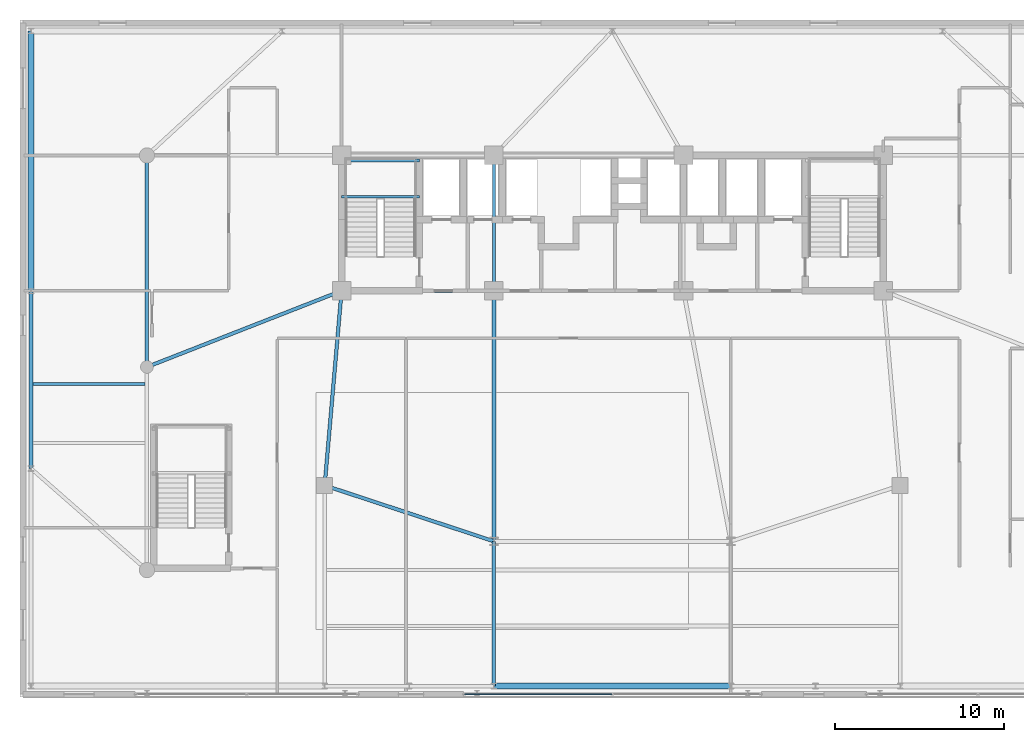
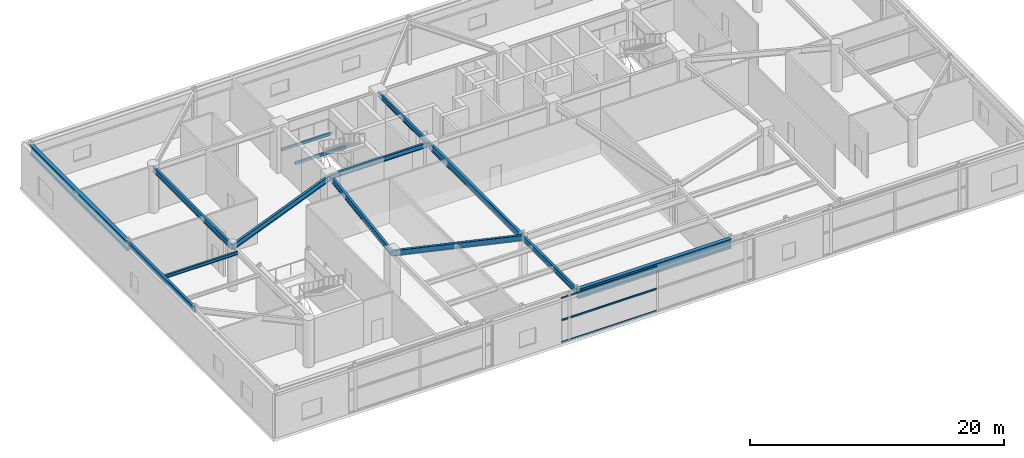
# One storey, part 11 of 26: 14 beams, 4 members, 2 elements without a shape of their own.
"""IFC4 building model written with IfcOpenShell, lengths in metres."""

from ifc_helpers import new_model, si_unit, direction, frame, origin, origin_2d, place, context, subcontext, project, spatial, hollow_rectangle, i_section, extrude, source, transform, mapped, material, layer, layer_set, material_profile, profile_set, type_object, element, aggregate, save


model = new_model("IFC4")

# Units and contexts
model_context = context("Model", 3, precision=1e-05, world=origin(), true_north=direction((0.0, 1.0)))
body_context = subcontext(model_context, "Body", "Model", "MODEL_VIEW")
ifc_project = project(units=[si_unit("LENGTHUNIT", "METRE"), si_unit("AREAUNIT", "SQUARE_METRE"), si_unit("VOLUMEUNIT", "CUBIC_METRE"), si_unit("PLANEANGLEUNIT", "RADIAN"), si_unit("MASSUNIT", "GRAM", prefix="KILO")], contexts=[model_context])

# Site, building, storey
site_placement = place(None, origin())
site = spatial("IfcSite", under=ifc_project, at=site_placement, CompositionType="ELEMENT")
building_placement = place(site_placement, origin())
building = spatial("IfcBuilding", under=site, at=building_placement, Name="Taldren Reach Tower", CompositionType="ELEMENT")
storey_placement = place(building_placement, frame((0.0, 0.0, 8.39990234375)))
storey = spatial("IfcBuildingStorey", under=building, at=storey_placement, Name="L02", CompositionType="ELEMENT", Elevation=8.39990234375)

# Beams
ifc_material_1 = material(Name="Steel Gr 350 (350PLUS)", Category="steel")
ifc_material_profile_1 = material_profile(ifc_material_1, i_section(OverallWidth=0.19091796875, OverallDepth=0.4599609375, WebThickness=0.010009765625, FlangeThickness=0.01611328125, at=origin_2d()), Name="460UB82.1")
ifc_profile_set_1 = profile_set([ifc_material_profile_1], Name="Steel Gr 350 (350PLUS)")
beam_type_1 = type_object("IfcBeamType", Name="BM-UB460A", PredefinedType="BEAM", material=ifc_profile_set_1)
shared_shape_1 = source(origin(), body_context, "Body", "SweptSolid", [
    extrude(i_section(OverallWidth=0.19091796875, OverallDepth=0.4599609375, WebThickness=0.010009765625, FlangeThickness=0.01611328125, at=origin_2d()), origin(), (0.0, 0.0, 1.0), 9.0),
])
beam_1_placement = place(storey_placement, frame((19.0, 24.0, 4.06005859375), z_axis=(1.0, 0.0, 0.0), x_axis=(0.0, 1.0, 0.0)))
element("IfcBeam", 1, at=beam_1_placement, inside=storey, type_object=beam_type_1, Name="Core-spine girder L02-SP01", PredefinedType="BEAM", context=body_context, shape_type="MappedRepresentation", body=[
    mapped(shared_shape_1, transform((0.0, 0.0, 0.0), scale=1.0)),
])
shared_shape_2 = source(origin(), body_context, "Body", "SweptSolid", [
    extrude(i_section(OverallWidth=0.19091796875, OverallDepth=0.4599609375, WebThickness=0.010009765625, FlangeThickness=0.01611328125, at=origin_2d()), origin(), (0.0, 0.0, 1.0), 8.0),
])
beam_2_placement = place(storey_placement, frame((28.0, 24.0, 4.06005859375), z_axis=(0.0, 1.0, 0.0), x_axis=(-1.0, 0.0, 0.0)))
element("IfcBeam", 2, at=beam_2_placement, inside=storey, type_object=beam_type_1, Name="Core-spine girder L02-SP07", PredefinedType="BEAM", context=body_context, shape_type="MappedRepresentation", body=[
    mapped(shared_shape_2, transform((0.0, 0.0, 0.0), scale=1.0)),
])
ifc_material_profile_2 = material_profile(ifc_material_1, i_section(OverallWidth=0.208984375, OverallDepth=0.532958984375, WebThickness=0.01025390625, FlangeThickness=0.015625, at=origin_2d()), Name="530UB92.4")
ifc_profile_set_2 = profile_set([ifc_material_profile_2], Name="Steel Gr 350 (350PLUS)")
beam_type_2 = type_object("IfcBeamType", Name="BM-UB530A", PredefinedType="BEAM", material=ifc_profile_set_2)
shared_shape_3 = source(origin(), body_context, "Body", "SweptSolid", [
    extrude(i_section(OverallWidth=0.208984375, OverallDepth=0.532958984375, WebThickness=0.01025390625, FlangeThickness=0.015625, at=origin_2d()), origin(), (0.0, 0.0, 1.0), 11.54345703125),
])
beam_3_placement = place(storey_placement, frame((19.0, 24.0, 4.023681640625), z_axis=(-0.086629616365, -0.996240588196, 0.0), x_axis=(0.996240588196, -0.086629616365, 0.0)))
element("IfcBeam", 3, at=beam_3_placement, inside=storey, type_object=beam_type_2, Name="Core-spine girder L02-SP09", PredefinedType="BEAM", context=body_context, shape_type="MappedRepresentation", body=[
    mapped(shared_shape_3, transform((0.0, 0.0, 0.0), scale=1.0)),
])
shared_shape_4 = source(origin(), body_context, "Body", "SweptSolid", [
    extrude(i_section(OverallWidth=0.208984375, OverallDepth=0.532958984375, WebThickness=0.01025390625, FlangeThickness=0.015625, at=origin_2d()), origin(), (0.0, 0.0, 1.0), 10.530517578125),
])
beam_4_placement = place(storey_placement, frame((18.0, 12.5, 4.023681640625), z_axis=(0.949627269203, -0.313381635689, 0.0), x_axis=(0.313381635689, 0.949627269203, 0.0)))
element("IfcBeam", 4, at=beam_4_placement, inside=storey, type_object=beam_type_2, Name="Core-spine girder L02-SP10", PredefinedType="BEAM", context=body_context, shape_type="MappedRepresentation", body=[
    mapped(shared_shape_4, transform((0.0, 0.0, 0.0), scale=1.0)),
])
ifc_material_profile_3 = material_profile(ifc_material_1, i_section(OverallWidth=0.22802734375, OverallDepth=0.60205078125, WebThickness=0.010498046875, FlangeThickness=0.014892578125, at=origin_2d()), Name="610UB101")
ifc_profile_set_3 = profile_set([ifc_material_profile_3], Name="Steel Gr 350 (350PLUS)")
beam_type_3 = type_object("IfcBeamType", Name="BM-UB610B", PredefinedType="BEAM", material=ifc_profile_set_3)
shared_shape_5 = source(origin(), body_context, "Body", "SweptSolid", [
    extrude(i_section(OverallWidth=0.22802734375, OverallDepth=0.60205078125, WebThickness=0.010498046875, FlangeThickness=0.014892578125, at=origin_2d()), origin(), (0.0, 0.0, 1.0), 14.800048828125),
])
beam_5_placement = place(storey_placement, frame((28.0, 24.0, 3.989013671875), z_axis=(0.0, -1.0, 0.0), x_axis=(1.0, 0.0, 0.0)))
element("IfcBeam", 5, at=beam_5_placement, inside=storey, type_object=beam_type_3, Name="Core-spine girder L02-SP14", PredefinedType="BEAM", context=body_context, shape_type="MappedRepresentation", body=[
    mapped(shared_shape_5, transform((0.0, 0.0, 0.0), scale=1.0)),
])
ifc_material_profile_4 = material_profile(ifc_material_1, i_section(OverallWidth=0.35009765625, OverallDepth=0.916015625, WebThickness=0.013916015625, FlangeThickness=0.028076171875, at=origin_2d()), Name="900WB257")
ifc_profile_set_4 = profile_set([ifc_material_profile_4], Name="Steel Gr 350 (350PLUS)")
beam_type_4 = type_object("IfcBeamType", Name="BM-WB900", PredefinedType="BEAM", material=ifc_profile_set_4)
shared_shape_6 = source(origin(), body_context, "Body", "SweptSolid", [
    extrude(i_section(OverallWidth=0.35009765625, OverallDepth=0.916015625, WebThickness=0.013916015625, FlangeThickness=0.028076171875, at=origin_2d()), origin(), (0.0, 0.0, 1.0), 14.0),
])
beam_6_placement = place(storey_placement, frame((28.0, 0.64990234375, 3.83203125), z_axis=(1.0, 0.0, 0.0), x_axis=(0.0, 1.0, 0.0)))
element("IfcBeam", 6, at=beam_6_placement, inside=storey, type_object=beam_type_4, Name="Podium girder L02-PD04", PredefinedType="BEAM", context=body_context, shape_type="MappedRepresentation", body=[
    mapped(shared_shape_6, transform((0.0, 0.0, 0.0), scale=1.0)),
])
ifc_material_profile_5 = material_profile(ifc_material_1, i_section(OverallWidth=0.208984375, OverallDepth=0.528076171875, WebThickness=0.009521484375, FlangeThickness=0.01318359375, at=origin_2d()), Name="530UB82.0")
ifc_profile_set_5 = profile_set([ifc_material_profile_5], Name="Steel Gr 350 (350PLUS)")
beam_type_5 = type_object("IfcBeamType", Name="SP-UB530B", PredefinedType="SPANDREL", material=ifc_profile_set_5)
shared_shape_7 = source(origin(), body_context, "Body", "SweptSolid", [
    extrude(i_section(OverallWidth=0.208984375, OverallDepth=0.528076171875, WebThickness=0.009521484375, FlangeThickness=0.01318359375, at=origin_2d()), origin(), (0.0, 0.0, 1.0), 10.5),
])
beam_7_placement = place(storey_placement, frame((0.64990234375, 13.5, 4.026123046875), z_axis=(0.0, 1.0, 0.0), x_axis=(-1.0, 0.0, 0.0)))
element("IfcBeam", 7, at=beam_7_placement, inside=storey, type_object=beam_type_5, Name="Podium beam L02-PD13", PredefinedType="SPANDREL", context=body_context, shape_type="MappedRepresentation", body=[
    mapped(shared_shape_7, transform((0.0, 0.0, 0.0), scale=1.0)),
])
shared_shape_8 = source(origin(), body_context, "Body", "SweptSolid", [
    extrude(i_section(OverallWidth=0.35009765625, OverallDepth=0.916015625, WebThickness=0.013916015625, FlangeThickness=0.028076171875, at=origin_2d()), origin(), (0.0, 0.0, 1.0), 15.35009765625),
])
beam_8_placement = place(storey_placement, frame((0.64990234375, 24.0, 3.83203125), z_axis=(0.0, 1.0, 0.0), x_axis=(-1.0, 0.0, 0.0)))
element("IfcBeam", 8, at=beam_8_placement, inside=storey, type_object=beam_type_4, Name="Podium girder L02-PD14", PredefinedType="BEAM", context=body_context, shape_type="MappedRepresentation", body=[
    mapped(shared_shape_8, transform((0.0, 0.0, 0.0), scale=1.0)),
])
shared_shape_9 = source(origin(), body_context, "Body", "SweptSolid", [
    extrude(i_section(OverallWidth=0.208984375, OverallDepth=0.532958984375, WebThickness=0.01025390625, FlangeThickness=0.015625, at=origin_2d()), origin(), (0.0, 0.0, 1.0), 12.5),
])
beam_9_placement = place(storey_placement, frame((7.5, 19.5, 4.023681640625), z_axis=(0.0, 1.0, 0.0), x_axis=(-1.0, 0.0, 0.0)))
element("IfcBeam", 9, at=beam_9_placement, inside=storey, type_object=beam_type_2, Name="Podium beam L02-PD20", PredefinedType="BEAM", context=body_context, shape_type="MappedRepresentation", body=[
    mapped(shared_shape_9, transform((0.0, 0.0, 0.0), scale=1.0)),
])
shared_shape_10 = source(origin(), body_context, "Body", "SweptSolid", [
    extrude(i_section(OverallWidth=0.208984375, OverallDepth=0.532958984375, WebThickness=0.01025390625, FlangeThickness=0.015625, at=origin_2d()), origin(), (0.0, 0.0, 1.0), 8.550048828125),
])
beam_10_placement = place(storey_placement, frame((28.0, 0.64990234375, 4.023681640625), z_axis=(0.0, 1.0, 0.0), x_axis=(-1.0, 0.0, 0.0)))
element("IfcBeam", 10, at=beam_10_placement, inside=storey, type_object=beam_type_2, Name="Podium beam L02-PD23", PredefinedType="BEAM", context=body_context, shape_type="MappedRepresentation", body=[
    mapped(shared_shape_10, transform((0.0, 0.0, 0.0), scale=1.0)),
])
shared_shape_11 = source(origin(), body_context, "Body", "SweptSolid", [
    extrude(i_section(OverallWidth=0.208984375, OverallDepth=0.532958984375, WebThickness=0.01025390625, FlangeThickness=0.015625, at=origin_2d()), origin(), (0.0, 0.0, 1.0), 12.34912109375),
])
beam_11_placement = place(storey_placement, frame((7.5, 19.5, 4.023681640625), z_axis=(0.931242779706, 0.364399348581, 0.0), x_axis=(-0.364399348581, 0.931242779706, 0.0)))
element("IfcBeam", 11, at=beam_11_placement, inside=storey, type_object=beam_type_2, Name="Podium beam L02-PD30", PredefinedType="BEAM", context=body_context, shape_type="MappedRepresentation", body=[
    mapped(shared_shape_11, transform((0.0, 0.0, 0.0), scale=1.0)),
])
ifc_material_2 = material(Name="Steel Gr 300 (300PLUS, 300 MPa)", Category="steel")
ifc_material_profile_6 = material_profile(ifc_material_2, i_section(OverallWidth=0.166015625, OverallDepth=0.306884765625, WebThickness=0.006591796875, FlangeThickness=0.01171875, at=origin_2d()), Name="310UB46.2")
ifc_profile_set_6 = profile_set([ifc_material_profile_6], Name="Steel Gr 300 (300PLUS, 300 MPa)")
beam_type_6 = type_object("IfcBeamType", Name="JS-UB310", PredefinedType="JOIST", material=ifc_profile_set_6)
shared_shape_12 = source(origin(), body_context, "Body", "SweptSolid", [
    extrude(i_section(OverallWidth=0.166015625, OverallDepth=0.306884765625, WebThickness=0.006591796875, FlangeThickness=0.01171875, at=origin_2d()), origin(), (0.0, 0.0, 1.0), 6.64111328125),
])
beam_12_placement = place(storey_placement, frame((0.75439453125, 18.5, 4.13671875), z_axis=(1.0, 0.0, 0.0), x_axis=(0.0, 1.0, 0.0)))
element("IfcBeam", 12, at=beam_12_placement, inside=storey, type_object=beam_type_6, Name="Podium wing floor joist L02-4.1", PredefinedType="JOIST", context=body_context, shape_type="MappedRepresentation", body=[
    mapped(shared_shape_12, transform((0.0, 0.0, 0.0), scale=1.0)),
])

# Curtain wall, members
ifc_material_3 = material(Name="Aluminium and Low-E Glass Unitised System", Category="aluminium")
ifc_layer = layer(ifc_material_3, 0.159912109375)
ifc_layer_set = layer_set([ifc_layer], Name="Aluminium and Low-E Glass Unitised System")
curtain_wall_type = type_object("IfcCurtainWallType", Name="CW-SYS-1", PredefinedType="NOTDEFINED", material=ifc_layer_set)
curtain_wall_1_placement = place(storey_placement, origin())
curtain_wall_1 = element("IfcCurtainWall", 13, at=curtain_wall_1_placement, inside=storey, type_object=curtain_wall_type, Name="Unitised curtain wall CW1-L02-S2", PredefinedType="NOTDEFINED")
ifc_material_4 = material(Name="Anodised Aluminium 6063-T6", Category="aluminium")
ifc_material_profile_7 = material_profile(ifc_material_4, hollow_rectangle(XDim=0.06005859375, YDim=0.135009765625, WallThickness=0.00341796875, at=origin_2d()), Name="ALU-135x60x3.5RHS")
ifc_profile_set_7 = profile_set([ifc_material_profile_7], Name="Anodised Aluminium 6063-T6")
member_type = type_object("IfcMemberType", Name="CW-TRN-150", PredefinedType="USERDEFINED", material=ifc_profile_set_7)
shared_shape_13 = source(origin(), body_context, "Body", "SweptSolid", [
    extrude(hollow_rectangle(XDim=0.06005859375, YDim=0.135009765625, WallThickness=0.00341796875, at=origin_2d()), origin(), (0.0, 0.0, 1.0), 8.695068359375),
])
member_1_placement = place(storey_placement, frame((26.27001953125, 0.169921875, 0.030029296875), z_axis=(1.0, 0.0, 0.0), x_axis=(0.0, 1.0, 0.0)))
member_1 = element("IfcMember", 14, at=member_1_placement, type_object=member_type, Name="CW-1 transom 1.1", ObjectType="TRANSOM", PredefinedType="USERDEFINED", context=body_context, shape_type="MappedRepresentation", body=[
    mapped(shared_shape_13, transform((0.0, 0.0, 0.0), scale=1.0)),
])
member_2_placement = place(storey_placement, frame((26.27001953125, 0.169921875, 2.114990234375), z_axis=(1.0, 0.0, 0.0), x_axis=(0.0, 1.0, 0.0)))
member_2 = element("IfcMember", 15, at=member_2_placement, type_object=member_type, Name="CW-1 transom 1.2", ObjectType="TRANSOM", PredefinedType="USERDEFINED", context=body_context, shape_type="MappedRepresentation", body=[
    mapped(shared_shape_13, transform((0.0, 0.0, 0.0), scale=1.0)),
])
aggregate(curtain_wall_1, [member_1, member_2])

curtain_wall_2_placement = place(storey_placement, origin())
curtain_wall_2 = element("IfcCurtainWall", 16, at=curtain_wall_2_placement, inside=storey, type_object=curtain_wall_type, Name="Unitised curtain wall CW1-L02-S2-T2", PredefinedType="NOTDEFINED")
member_3_placement = place(storey_placement, frame((26.27001953125, 0.169921875, 2.175048828125), z_axis=(1.0, 0.0, 0.0), x_axis=(0.0, 1.0, 0.0)))
member_3 = element("IfcMember", 17, at=member_3_placement, type_object=member_type, Name="CW-1 transom 1.1", ObjectType="TRANSOM", PredefinedType="USERDEFINED", context=body_context, shape_type="MappedRepresentation", body=[
    mapped(shared_shape_13, transform((0.0, 0.0, 0.0), scale=1.0)),
])
member_4_placement = place(storey_placement, frame((26.27001953125, 0.169921875, 4.260009765625), z_axis=(1.0, 0.0, 0.0), x_axis=(0.0, 1.0, 0.0)))
member_4 = element("IfcMember", 18, at=member_4_placement, type_object=member_type, Name="CW-1 transom 1.2", ObjectType="TRANSOM", PredefinedType="USERDEFINED", context=body_context, shape_type="MappedRepresentation", body=[
    mapped(shared_shape_13, transform((0.0, 0.0, 0.0), scale=1.0)),
])
aggregate(curtain_wall_2, [member_3, member_4])

# Beams
ifc_material_5 = material(Name="Steel Gr 350 (C350L0)", Category="steel")
ifc_material_profile_8 = material_profile(ifc_material_5, hollow_rectangle(XDim=0.14990234375, YDim=0.25, WallThickness=0.009033203125, at=origin_2d()), Name="250x150x9.0RHS")
ifc_profile_set_8 = profile_set([ifc_material_profile_8], Name="Steel Gr 350 (C350L0)")
beam_type_7 = type_object("IfcBeamType", Name="LN-RHS250", PredefinedType="LINTEL", material=ifc_profile_set_8)
shared_shape_14 = source(origin(), body_context, "Body", "SweptSolid", [
    extrude(hollow_rectangle(XDim=0.14990234375, YDim=0.25, WallThickness=0.009033203125, at=origin_2d()), origin(), (0.0, 0.0, 1.0), 4.60009765625),
])
for number, where, z_axis, x_axis, name in (
    (19, (19.0, 29.550048828125, 1.97021484375), (1.0, 0.0, 0.0), (0.0, 1.0, 0.0), "Stair half-landing support beam ST1-L02-1"),
    (20, (19.0, 31.699951171875, 1.97021484375), (1.0, 0.0, 0.0), (0.0, 1.0, 0.0), "Stair half-landing support beam ST1-L02-2"),
):
    element("IfcBeam", number, at=place(storey_placement, frame(where, z_axis=z_axis, x_axis=x_axis)), inside=storey, type_object=beam_type_7, Name=name, PredefinedType="LINTEL", context=body_context, shape_type="MappedRepresentation", body=[
        mapped(shared_shape_14, transform((0.0, 0.0, 0.0), scale=1.0)),
    ])

save(model, "model.ifc")
